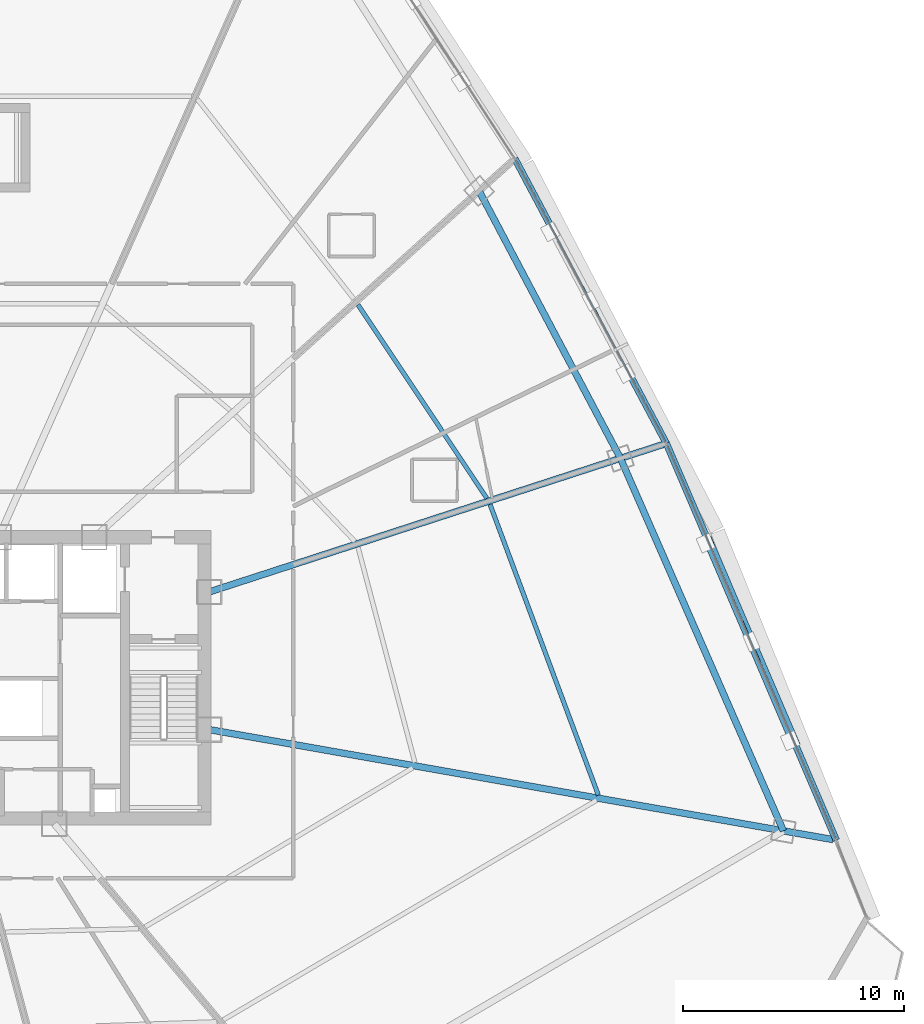
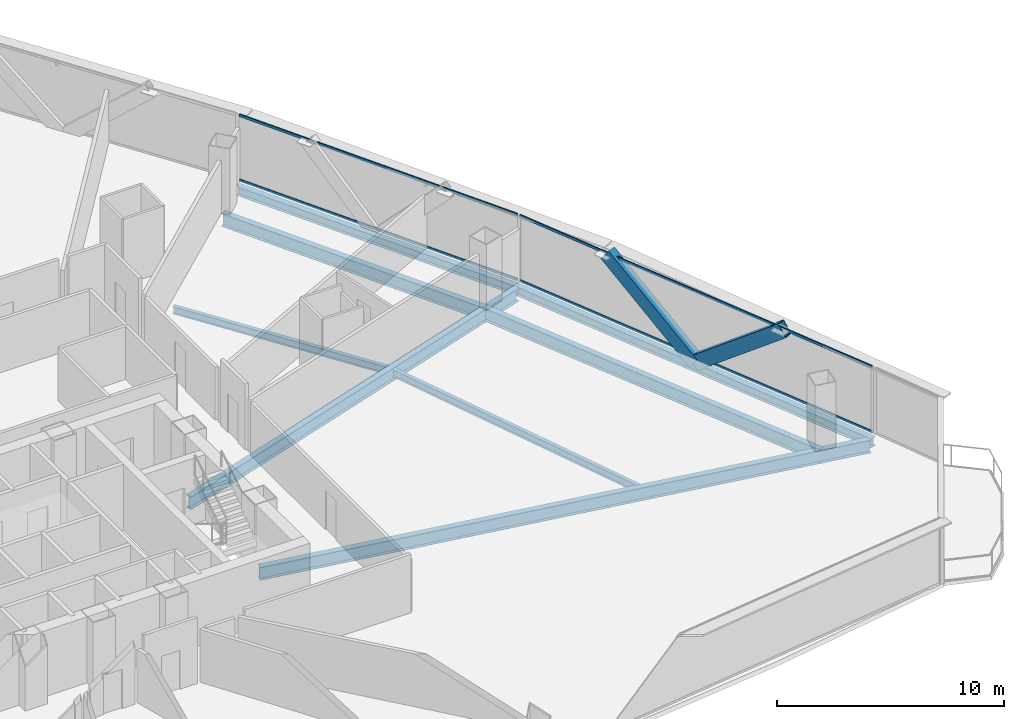
# One storey, part 23 of 37: 8 beams, 6 members, 2 elements without a shape of their own.
"""IFC4 building model written with IfcOpenShell, lengths in metres."""

from ifc_helpers import new_model, si_unit, direction, frame, origin, origin_2d, place, context, subcontext, project, spatial, hollow_rectangle, i_section, extrude, source, transform, mapped, material, layer, layer_set, material_profile, profile_set, type_object, element, aggregate, save


model = new_model("IFC4")

# Units and contexts
model_context = context("Model", 3, precision=1e-05, world=origin(), true_north=direction((0.0, 1.0)))
body_context = subcontext(model_context, "Body", "Model", "MODEL_VIEW")
ifc_project = project(units=[si_unit("LENGTHUNIT", "METRE"), si_unit("AREAUNIT", "SQUARE_METRE"), si_unit("VOLUMEUNIT", "CUBIC_METRE"), si_unit("PLANEANGLEUNIT", "RADIAN"), si_unit("MASSUNIT", "GRAM", prefix="KILO"), si_unit("THERMODYNAMICTEMPERATUREUNIT", "KELVIN"), si_unit("POWERUNIT", "WATT")], contexts=[model_context])

# Site, building, storey
site_placement = place(None, origin())
site = spatial("IfcSite", under=ifc_project, at=site_placement, CompositionType="ELEMENT")
building_placement = place(site_placement, origin())
building = spatial("IfcBuilding", under=site, at=building_placement, Name="Yunzhuo Pagoda Commons", CompositionType="ELEMENT")
storey_placement = place(building_placement, frame((0.0, 0.0, 88.780029296875)))
storey = spatial("IfcBuildingStorey", under=building, at=storey_placement, Name="L22", CompositionType="ELEMENT", Elevation=88.780029296875)

# Beams
ifc_material_1 = material(Name="Structural steel Q355B", Category="steel")
ifc_material_profile_1 = material_profile(ifc_material_1, i_section(OverallWidth=0.300048828125, OverallDepth=0.488037109375, WebThickness=0.010986328125, FlangeThickness=0.01806640625, at=origin_2d()), Name="Structural steel Q355B")
ifc_profile_set_1 = profile_set([ifc_material_profile_1], Name="Structural steel Q355B")
beam_type_1 = type_object("IfcBeamType", Name="B-SP1 Beam HM 488x300x11x18", PredefinedType="BEAM", material=ifc_profile_set_1)
shared_shape_1 = source(origin(), body_context, "Body", "SweptSolid", [
    extrude(i_section(OverallWidth=0.300048828125, OverallDepth=0.488037109375, WebThickness=0.010986328125, FlangeThickness=0.01806640625, at=origin_2d()), origin(), (0.0, 0.0, 1.0), 19.502685546875),
])
beam_1_placement = place(storey_placement, frame((88.742919921875, 26.515869140625, -0.504150390625), z_axis=(-0.393662442568, 0.91925506869, 0.0), x_axis=(-0.91925506869, -0.393662442568, 0.0)))
element("IfcBeam", 1, at=beam_1_placement, inside=storey, type_object=beam_type_1, Name="L22 facade edge spandrel beam F2.1", PredefinedType="BEAM", context=body_context, shape_type="MappedRepresentation", body=[
    mapped(shared_shape_1, transform((0.0, 0.0, 0.0), scale=1.0)),
])
shared_shape_2 = source(origin(), body_context, "Body", "SweptSolid", [
    extrude(i_section(OverallWidth=0.300048828125, OverallDepth=0.488037109375, WebThickness=0.010986328125, FlangeThickness=0.01806640625, at=origin_2d()), origin(), (0.0, 0.0, 1.0), 14.572509765625),
])
beam_2_placement = place(storey_placement, frame((81.0654296875, 44.44384765625, -0.504150390625), z_axis=(-0.469767169818, 0.882790352327, 0.0), x_axis=(-0.882790352327, -0.469767169818, 0.0)))
element("IfcBeam", 2, at=beam_2_placement, inside=storey, type_object=beam_type_1, Name="L22 facade edge spandrel beam F2.2", PredefinedType="BEAM", context=body_context, shape_type="MappedRepresentation", body=[
    mapped(shared_shape_2, transform((0.0, 0.0, 0.0), scale=1.0)),
])
ifc_material_profile_2 = material_profile(ifc_material_1, i_section(OverallWidth=0.300048828125, OverallDepth=0.699951171875, WebThickness=0.012939453125, FlangeThickness=0.02392578125, at=origin_2d()), Name="Structural steel Q355B")
ifc_profile_set_2 = profile_set([ifc_material_profile_2], Name="Structural steel Q355B")
beam_type_2 = type_object("IfcBeamType", Name="B-RG1 Beam HN 700x300x13x24", PredefinedType="BEAM", material=ifc_profile_set_2)
shared_shape_3 = source(origin(), body_context, "Body", "SweptSolid", [
    extrude(i_section(OverallWidth=0.300048828125, OverallDepth=0.699951171875, WebThickness=0.012939453125, FlangeThickness=0.02392578125, at=origin_2d()), origin(), (0.0, 0.0, 1.0), 18.37158203125),
])
beam_3_placement = place(storey_placement, frame((86.352783203125, 26.9375, -0.610107421875), z_axis=(-0.400729599795, 0.916196369698, 0.0), x_axis=(-0.916196369698, -0.400729599795, 0.0)))
element("IfcBeam", 3, at=beam_3_placement, inside=storey, type_object=beam_type_2, Name="L22 column-ring beam 5", PredefinedType="BEAM", context=body_context, shape_type="MappedRepresentation", body=[
    mapped(shared_shape_3, transform((0.0, 0.0, 0.0), scale=1.0)),
])
shared_shape_4 = source(origin(), body_context, "Body", "SweptSolid", [
    extrude(i_section(OverallWidth=0.300048828125, OverallDepth=0.699951171875, WebThickness=0.012939453125, FlangeThickness=0.02392578125, at=origin_2d()), origin(), (0.0, 0.0, 1.0), 13.66748046875),
])
beam_4_placement = place(storey_placement, frame((78.99072265625, 43.76953125, -0.610107421875), z_axis=(-0.467383716456, 0.88405455804, 0.0), x_axis=(-0.88405455804, -0.467383716456, 0.0)))
element("IfcBeam", 4, at=beam_4_placement, inside=storey, type_object=beam_type_2, Name="L22 column-ring beam 6", PredefinedType="BEAM", context=body_context, shape_type="MappedRepresentation", body=[
    mapped(shared_shape_4, transform((0.0, 0.0, 0.0), scale=1.0)),
])
shared_shape_5 = source(origin(), body_context, "Body", "SweptSolid", [
    extrude(i_section(OverallWidth=0.300048828125, OverallDepth=0.699951171875, WebThickness=0.012939453125, FlangeThickness=0.02392578125, at=origin_2d()), origin(), (0.0, 0.0, 1.0), 28.625),
])
beam_5_placement = place(storey_placement, frame((88.590087890625, 26.54296875, -0.610107421875), z_axis=(-0.984809134913, 0.173640340337, 0.0), x_axis=(-0.173640340337, -0.984809134913, 0.0)))
element("IfcBeam", 5, at=beam_5_placement, inside=storey, type_object=beam_type_2, Name="L22 radial floor girder F2C1", PredefinedType="BEAM", context=body_context, shape_type="MappedRepresentation", body=[
    mapped(shared_shape_5, transform((0.0, 0.0, 0.0), scale=1.0)),
])
shared_shape_6 = source(origin(), body_context, "Body", "SweptSolid", [
    extrude(i_section(OverallWidth=0.300048828125, OverallDepth=0.699951171875, WebThickness=0.012939453125, FlangeThickness=0.02392578125, at=origin_2d()), origin(), (0.0, 0.0, 1.0), 21.57373046875),
])
beam_6_placement = place(storey_placement, frame((80.917724609375, 44.3955078125, -0.610107421875), z_axis=(-0.951058432611, -0.309011096499, 0.0), x_axis=(0.309011096499, -0.951058432611, 0.0)))
element("IfcBeam", 6, at=beam_6_placement, inside=storey, type_object=beam_type_2, Name="L22 radial floor girder F2C2", PredefinedType="BEAM", context=body_context, shape_type="MappedRepresentation", body=[
    mapped(shared_shape_6, transform((0.0, 0.0, 0.0), scale=1.0)),
])
ifc_material_profile_3 = material_profile(ifc_material_1, i_section(OverallWidth=0.199951171875, OverallDepth=0.39990234375, WebThickness=0.008056640625, FlangeThickness=0.012939453125, at=origin_2d()), Name="Structural steel Q355B")
ifc_profile_set_3 = profile_set([ifc_material_profile_3], Name="Structural steel Q355B")
beam_type_3 = type_object("IfcBeamType", Name="B-JS1 Joist HN 400x200x8x13", PredefinedType="JOIST", material=ifc_profile_set_3)
shared_shape_7 = source(origin(), body_context, "Body", "SweptSolid", [
    extrude(i_section(OverallWidth=0.199951171875, OverallDepth=0.39990234375, WebThickness=0.008056640625, FlangeThickness=0.012939453125, at=origin_2d()), origin(), (0.0, 0.0, 1.0), 14.01904296875),
])
beam_7_placement = place(storey_placement, frame((77.992431640625, 28.55078125, -0.4599609375), z_axis=(-0.349168392993, 0.937059994523, 0.0), x_axis=(-0.937059994523, -0.349168392993, 0.0)))
element("IfcBeam", 7, at=beam_7_placement, inside=storey, type_object=beam_type_3, Name="L22 composite ring joist 2.5", PredefinedType="JOIST", context=body_context, shape_type="MappedRepresentation", body=[
    mapped(shared_shape_7, transform((0.0, 0.0, 0.0), scale=1.0)),
])
shared_shape_8 = source(origin(), body_context, "Body", "SweptSolid", [
    extrude(i_section(OverallWidth=0.199951171875, OverallDepth=0.39990234375, WebThickness=0.008056640625, FlangeThickness=0.012939453125, at=origin_2d()), origin(), (0.0, 0.0, 1.0), 10.50537109375),
])
beam_8_placement = place(storey_placement, frame((72.95361328125, 41.968994140625, -0.4599609375), z_axis=(-0.554523204193, 0.832168261839, 0.0), x_axis=(-0.832168261839, -0.554523204193, 0.0)))
element("IfcBeam", 8, at=beam_8_placement, inside=storey, type_object=beam_type_3, Name="L22 composite ring joist 2.6", PredefinedType="JOIST", context=body_context, shape_type="MappedRepresentation", body=[
    mapped(shared_shape_8, transform((0.0, 0.0, 0.0), scale=1.0)),
])

# Members
ifc_material_2 = material(Name="Structural steel Q420B", Category="steel")
ifc_material_profile_4 = material_profile(ifc_material_2, hollow_rectangle(XDim=0.419921875, YDim=0.719970703125, WallThickness=0.028076171875, at=origin_2d()), Name="Structural steel Q420B")
ifc_profile_set_4 = profile_set([ifc_material_profile_4], Name="Structural steel Q420B")
member_type_1 = type_object("IfcMemberType", Name="M-DL1 Brace BOX 720x420x28", PredefinedType="BRACE", material=ifc_profile_set_4)
shared_shape_9 = source(origin(), body_context, "Body", "SweptSolid", [
    extrude(hollow_rectangle(XDim=0.419921875, YDim=0.719970703125, WallThickness=0.028076171875, at=origin_2d()), origin(), (0.0, 0.0, 1.0), 6.181396484375),
])
for number, where, z_axis, x_axis, name in (
    (9, (84.904052734375, 35.479736328125, -0.259765625), (0.31051451298, -0.7250604718, 0.614709727808), (0.919248598495, 0.393677551006, 0.0), "L22 facade diamond brace F2.1L"),
    (10, (84.904052734375, 35.479736328125, -0.259765625), (-0.31051451298, 0.7250604718, 0.614709727808), (-0.919248598495, -0.393677551006, 0.0), "L22 facade diamond brace F2.1R"),
):
    element("IfcMember", number, at=place(storey_placement, frame(where, z_axis=z_axis, x_axis=x_axis)), inside=storey, type_object=member_type_1, Name=name, PredefinedType="BRACE", context=body_context, shape_type="MappedRepresentation", body=[
        mapped(shared_shape_9, transform((0.0, 0.0, 0.0), scale=1.0)),
    ])

# Curtain wall, members
ifc_material_3 = material(Name="Anodized aluminium 6063-T6", Category="aluminium")
ifc_layer = layer(ifc_material_3, 0.1650390625)
ifc_layer_set = layer_set([ifc_layer], Name="Anodized aluminium 6063-T6")
curtain_wall_type = type_object("IfcCurtainWallType", Name="CW-LOW Low-Zone Ribbon Curtain Wall", PredefinedType="NOTDEFINED", material=ifc_layer_set)
curtain_wall_1_placement = place(storey_placement, origin())
curtain_wall_1 = element("IfcCurtainWall", 11, at=curtain_wall_1_placement, inside=storey, type_object=curtain_wall_type, Name="L22 curtain wall CW-L22-F2B2", PredefinedType="NOTDEFINED")
ifc_material_profile_5 = material_profile(ifc_material_3, hollow_rectangle(XDim=0.06005859375, YDim=0.139892578125, WallThickness=0.00341796875, at=origin_2d()), Name="Anodized aluminium 6063-T6")
ifc_profile_set_5 = profile_set([ifc_material_profile_5], Name="Anodized aluminium 6063-T6")
member_type_2 = type_object("IfcMemberType", Name="CW-LOW-T Transom RHS 140x60x3.5", PredefinedType="USERDEFINED", material=ifc_profile_set_5)
shared_shape_10 = source(origin(), body_context, "Body", "SweptSolid", [
    extrude(hollow_rectangle(XDim=0.06005859375, YDim=0.139892578125, WallThickness=0.00341796875, at=origin_2d()), origin(), (0.0, 0.0, 1.0), 19.37255859375),
])
member_1_placement = place(storey_placement, frame((88.71728515625, 26.57568359375, 0.030029296875), z_axis=(-0.39367592675, 0.919249294097, 0.0), x_axis=(-0.919249294097, -0.39367592675, 0.0)))
member_1 = element("IfcMember", 12, at=member_1_placement, type_object=member_type_2, Name="CW transom 1.1", ObjectType="TRANSOM", PredefinedType="USERDEFINED", context=body_context, shape_type="MappedRepresentation", body=[
    mapped(shared_shape_10, transform((0.0, 0.0, 0.0), scale=1.0)),
])
member_2_placement = place(storey_placement, frame((88.71728515625, 26.57568359375, 3.510009765625), z_axis=(-0.39367592675, 0.919249294097, 0.0), x_axis=(-0.919249294097, -0.39367592675, 0.0)))
member_2 = element("IfcMember", 13, at=member_2_placement, type_object=member_type_2, Name="CW transom 1.2", ObjectType="TRANSOM", PredefinedType="USERDEFINED", context=body_context, shape_type="MappedRepresentation", body=[
    mapped(shared_shape_10, transform((0.0, 0.0, 0.0), scale=1.0)),
])
aggregate(curtain_wall_1, [member_1, member_2])

curtain_wall_2_placement = place(storey_placement, origin())
curtain_wall_2 = element("IfcCurtainWall", 14, at=curtain_wall_2_placement, inside=storey, type_object=curtain_wall_type, Name="L22 curtain wall CW-L22-F2B3", PredefinedType="NOTDEFINED")
shared_shape_11 = source(origin(), body_context, "Body", "SweptSolid", [
    extrude(hollow_rectangle(XDim=0.06005859375, YDim=0.139892578125, WallThickness=0.00341796875, at=origin_2d()), origin(), (0.0, 0.0, 1.0), 14.442626953125),
])
member_3_placement = place(storey_placement, frame((81.03466796875, 44.5009765625, 0.030029296875), z_axis=(-0.46974837333, 0.882800354414, 0.0), x_axis=(-0.882800354414, -0.46974837333, 0.0)))
member_3 = element("IfcMember", 15, at=member_3_placement, type_object=member_type_2, Name="CW transom 1.1", ObjectType="TRANSOM", PredefinedType="USERDEFINED", context=body_context, shape_type="MappedRepresentation", body=[
    mapped(shared_shape_11, transform((0.0, 0.0, 0.0), scale=1.0)),
])
member_4_placement = place(storey_placement, frame((81.03466796875, 44.5009765625, 3.510009765625), z_axis=(-0.46974837333, 0.882800354414, 0.0), x_axis=(-0.882800354414, -0.46974837333, 0.0)))
member_4 = element("IfcMember", 16, at=member_4_placement, type_object=member_type_2, Name="CW transom 1.2", ObjectType="TRANSOM", PredefinedType="USERDEFINED", context=body_context, shape_type="MappedRepresentation", body=[
    mapped(shared_shape_11, transform((0.0, 0.0, 0.0), scale=1.0)),
])
aggregate(curtain_wall_2, [member_3, member_4])

save(model, "model.ifc")
